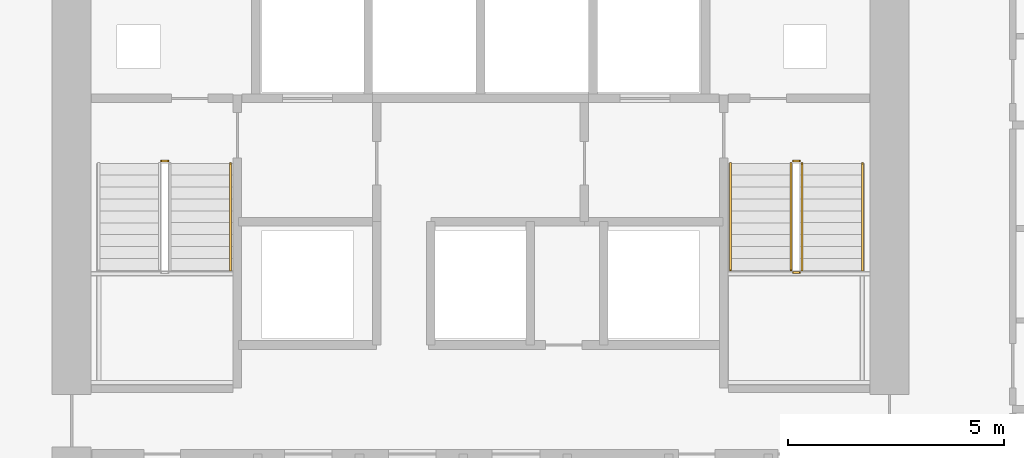
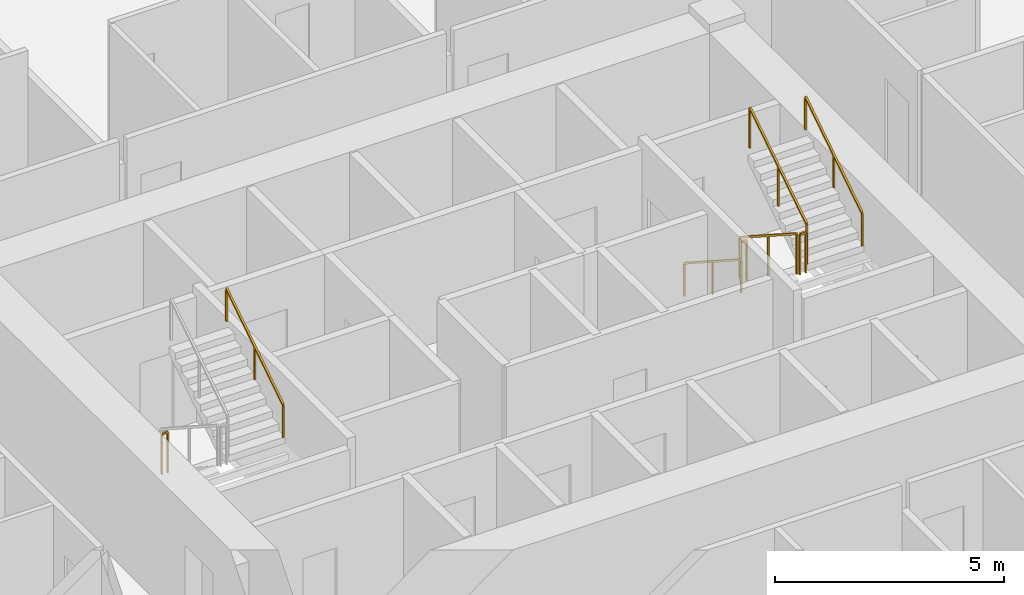
# One storey, part 10 of 10: 8 railings.
"""IFC4 building model written with IfcOpenShell, lengths in metres."""

import ifcopenshell
import ifcopenshell.guid

model = None  # the IFC model being written
_history = None  # IfcOwnerHistory: only IFC2X3 demands one
_inside = {}  # id of a spatial element -> (the spatial element, [elements in it])
_under = {}  # id of a project, library or spatial element -> (it, [spatial elements below it])
_declared = {}  # id of a project -> (the project, [libraries it declares])
_typed = {}  # id of a type object -> (the type object, [elements of that type])
_made_of = {}  # id of a material, layer set ... -> (it, [elements and type objects made of it])


def new_model(schema):
    """Start an empty IFC model of exactly this schema.

    Asked for "IFC4X3", IfcOpenShell would pick the latest addendum, in which some entities
    have other attributes; the version numbers below select the first issue.
    IFC2X3 requires an IfcOwnerHistory on every rooted entity: one is made here for all.
    """
    global model, _history
    if schema == "IFC4X3":
        model = ifcopenshell.file(schema_version=(4, 3, 0, 0))
    else:
        model = ifcopenshell.file(schema=schema)
    _inside.clear()
    _under.clear()
    _declared.clear()
    _typed.clear()
    _made_of.clear()
    _history = None
    if model.schema == "IFC2X3":
        org = make("IfcOrganization", Name="unknown")
        user = make(
            "IfcPersonAndOrganization",
            ThePerson=make("IfcPerson", FamilyName="unknown"),
            TheOrganization=org,
        )
        app = make(
            "IfcApplication",
            ApplicationDeveloper=org,
            Version="unknown",
            ApplicationFullName="unknown",
            ApplicationIdentifier="unknown",
        )
        _history = make(
            "IfcOwnerHistory",
            OwningUser=user,
            OwningApplication=app,
            ChangeAction="ADDED",
            CreationDate=0,
        )
    return model


def make(cls, **values):
    """One entity of the class cls with the attributes given. An attribute that is None is left unset."""
    return model.create_entity(
        cls, **{name: value for name, value in values.items() if value is not None}
    )


def rooted(cls, **values):
    """An entity with a GlobalId (a new one), such as an element, a storey or a relation."""
    return make(cls, GlobalId=ifcopenshell.guid.new(), OwnerHistory=_history, **values)


def si_unit(unit_type, name, prefix=None):
    """IfcSIUnit, for example si_unit("LENGTHUNIT", "METRE", prefix="MILLI")."""
    return make("IfcSIUnit", UnitType=unit_type, Prefix=prefix, Name=name)


def assignment(units):
    """IfcUnitAssignment: the units of a project."""
    return None if units is None else make("IfcUnitAssignment", Units=units)


def point(xyz):
    """IfcCartesianPoint."""
    return None if xyz is None else make("IfcCartesianPoint", Coordinates=xyz)


def direction(xyz):
    """IfcDirection."""
    return None if xyz is None else make("IfcDirection", DirectionRatios=xyz)


def frame(location, z_axis=None, x_axis=None):
    """IfcAxis2Placement3D, a coordinate frame: its origin and axes. An axis left out is left unset."""
    return make(
        "IfcAxis2Placement3D",
        Location=point(location),
        Axis=direction(z_axis),
        RefDirection=direction(x_axis),
    )


def frame_2d(location, x_axis=None):
    """IfcAxis2Placement2D, a coordinate frame in the plane: its origin and x axis."""
    return make(
        "IfcAxis2Placement2D", Location=point(location), RefDirection=direction(x_axis)
    )


def origin():
    """The frame at (0, 0, 0) with its axes left unset."""
    return frame((0.0, 0.0, 0.0))


def origin_2d():
    """The frame at (0, 0) in the plane with its x axis left unset."""
    return frame_2d((0.0, 0.0))


def place(relative_to, where):
    """IfcLocalPlacement: puts the frame where relative to a parent placement (None: the world)."""
    return make(
        "IfcLocalPlacement", PlacementRelTo=relative_to, RelativePlacement=where
    )


def context(
    kind, dimensions, precision=None, world=None, true_north=None, identifier=None
):
    """IfcGeometricRepresentationContext, for example the 3D "Model" context."""
    return make(
        "IfcGeometricRepresentationContext",
        ContextIdentifier=identifier,
        ContextType=kind,
        CoordinateSpaceDimension=dimensions,
        Precision=precision,
        WorldCoordinateSystem=world,
        TrueNorth=true_north,
    )


def subcontext(parent, identifier, kind, view, scale=None):
    """IfcGeometricRepresentationSubContext, for example "Body" below "Model"."""
    return make(
        "IfcGeometricRepresentationSubContext",
        ContextIdentifier=identifier,
        ContextType=kind,
        ParentContext=parent,
        TargetScale=scale,
        TargetView=view,
    )


def project(units=None, contexts=None):
    """IfcProject with its units and contexts."""
    return rooted(
        "IfcProject",
        Name="project",
        RepresentationContexts=contexts,
        UnitsInContext=assignment(units),
    )


def spatial(cls, under=None, at=None, **own):
    """A site, building, storey or space (cls), placed at a placement, below another one or the project."""
    s = rooted(cls, ObjectPlacement=at, **own)
    if under is not None:
        _under.setdefault(under.id(), (under, []))[1].append(s)
    return s


def profile(cls, at=None, kind="AREA", **sizes):
    """A parametric profile (cls). Its sizes go by their IFC names, for example OverallWidth=200.0."""
    return make(cls, ProfileType=kind, Position=at, **sizes)


def rectangle(**sizes):
    """IfcRectangleProfileDef."""
    return profile("IfcRectangleProfileDef", **sizes)


def extrude(swept, where, along, depth):
    """IfcExtrudedAreaSolid: the profile swept, set in the frame where, extruded along a direction by depth."""
    return make(
        "IfcExtrudedAreaSolid",
        SweptArea=swept,
        Position=where,
        ExtrudedDirection=direction(along),
        Depth=depth,
    )


def shape(context_of_items, identifier, shape_type, items):
    """IfcShapeRepresentation: the items that make up one representation, for example the "Body"."""
    return make(
        "IfcShapeRepresentation",
        ContextOfItems=context_of_items,
        RepresentationIdentifier=identifier,
        RepresentationType=shape_type,
        Items=items,
    )


def material(Name=None, Category=None):
    """IfcMaterial."""
    return make("IfcMaterial", Name=Name, Category=Category)


def made_of(thing, what):
    """Note that an element or type object is made of a material, layer set ...; save() writes the relation."""
    if what is not None:
        _made_of.setdefault(what.id(), (what, []))[1].append(thing)
    return thing


def type_object(cls, material=None, **own):
    """A type object (cls), such as IfcWallType, which elements share."""
    return made_of(rooted(cls, **own), material)


def element(
    cls,
    number,
    at=None,
    inside=None,
    cuts=None,
    type_object=None,
    material=None,
    context=None,
    identifier="Body",
    shape_type=None,
    held_by="IfcProductDefinitionShape",
    body=None,
    shapes=None,
    **own,
):
    """One element of the class cls, such as IfcWall. Its Tag is "e" and its number.

    at: its placement. inside: the storey or other place that contains it. cuts: it is an
    opening in that element (IfcRelVoidsElement). A single representation is given by context,
    identifier, shape_type and body (its items); several are given by shapes. held_by: the class
    of the entity that holds the representations. save() writes the other relations.
    """
    e = rooted(cls, Tag="e%d" % number, ObjectPlacement=at, **own)
    if body is not None:
        shapes = [shape(context, identifier, shape_type, body)]
    if shapes is not None:
        e.Representation = make(held_by, Representations=shapes)
    if inside is not None:
        _inside.setdefault(inside.id(), (inside, []))[1].append(e)
    if cuts is not None:
        rooted(
            "IfcRelVoidsElement", RelatingBuildingElement=cuts, RelatedOpeningElement=e
        )
    if type_object is not None:
        _typed.setdefault(type_object.id(), (type_object, []))[1].append(e)
    return made_of(e, material)


def aggregate(whole, parts):
    """IfcRelAggregates: a whole, such as a stair, and the parts it consists of."""
    return rooted("IfcRelAggregates", RelatingObject=whole, RelatedObjects=parts)


def save(model, path):
    """Write the relations noted so far, then the file.

    IfcRelAggregates (storeys below a building ...), IfcRelContainedInSpatialStructure (elements
    in a storey), IfcRelDefinesByType, IfcRelAssociatesMaterial and IfcRelDeclares: one each for
    every whole, place, type object, material and project.
    """
    for whole, parts in _under.values():
        aggregate(whole, parts)
    for where, things in _inside.values():
        rooted(
            "IfcRelContainedInSpatialStructure",
            RelatedElements=things,
            RelatingStructure=where,
        )
    for kind, things in _typed.values():
        rooted("IfcRelDefinesByType", RelatedObjects=things, RelatingType=kind)
    for what, things in _made_of.values():
        rooted("IfcRelAssociatesMaterial", RelatedObjects=things, RelatingMaterial=what)
    for by, libraries in _declared.values():
        rooted("IfcRelDeclares", RelatingContext=by, RelatedDefinitions=libraries)
    model.write(path)


model = new_model("IFC4")

# Units and contexts
model_context = context("Model", 3, precision=1e-05, world=origin(), true_north=direction((0.0, 1.0)))
body_context = subcontext(model_context, "Body", "Model", "MODEL_VIEW")
ifc_project = project(units=[si_unit("LENGTHUNIT", "METRE"), si_unit("AREAUNIT", "SQUARE_METRE"), si_unit("VOLUMEUNIT", "CUBIC_METRE"), si_unit("PLANEANGLEUNIT", "RADIAN"), si_unit("MASSUNIT", "GRAM", prefix="KILO")], contexts=[model_context])

# Site, building, storey
site_placement = place(None, origin())
site = spatial("IfcSite", under=ifc_project, at=site_placement, CompositionType="ELEMENT")
building_placement = place(site_placement, origin())
building = spatial("IfcBuilding", under=site, at=building_placement, Name="Cinnabar Lancet Tower", CompositionType="ELEMENT")
storey_placement = place(building_placement, frame((0.0, 0.0, 24.89990234375)))
storey = spatial("IfcBuildingStorey", under=building, at=storey_placement, Name="L05", CompositionType="ELEMENT", Elevation=24.89990234375)

# Railings
ifc_material_1 = material(Name="Painted galvanized steel balustrade", Category="steel")
railing_type_1 = type_object("IfcRailingType", Name="GUARD-STAIR", PredefinedType="GUARDRAIL", material=ifc_material_1)
railing_1_placement = place(storey_placement, frame((25.02490234375, 28.449951171875, 0.0)))
element("IfcRailing", 1, at=railing_1_placement, inside=storey, type_object=railing_type_1, Name="L05 ST-1 stair guard 4", PredefinedType="GUARDRAIL", context=body_context, shape_type="SweptSolid", body=[
    extrude(rectangle(XDim=0.048095703125, YDim=0.048095703125, at=origin_2d()), frame((0.0, 0.0, 1.076171875), z_axis=(1.0, 0.0, 0.0), x_axis=(0.0, 1.0, 0.0)), (0.0, 0.0, 1.0), 0.150146484375),
    extrude(rectangle(XDim=0.0419921875, YDim=0.0419921875, at=origin_2d()), origin(), (0.0, 0.0, 1.0), 1.052001953125),
    extrude(rectangle(XDim=0.0419921875, YDim=0.0419921875, at=origin_2d()), frame((0.150146484375, 0.0, 0.0)), (0.0, 0.0, 1.0), 1.052001953125),
])
railing_2_placement = place(storey_placement, frame((39.574951171875, 28.39990234375, 0.177490234375)))
element("IfcRailing", 2, at=railing_2_placement, inside=storey, type_object=railing_type_1, Name="L05 ST-2 stair guard 1", PredefinedType="GUARDRAIL", context=body_context, shape_type="SweptSolid", body=[
    extrude(rectangle(XDim=0.048095703125, YDim=0.048095703125, at=origin_2d()), frame((0.0, 0.0, 1.076171875), z_axis=(0.0, -0.84014559416, 0.542360932049), x_axis=(1.0, 0.0, 0.0)), (0.0, 0.0, 1.0), 2.94580078125),
    extrude(rectangle(XDim=0.0419921875, YDim=0.0419921875, at=origin_2d()), origin(), (0.0, 0.0, 1.0), 1.052001953125),
    extrude(rectangle(XDim=0.0419921875, YDim=0.0419921875, at=origin_2d()), frame((0.0, -1.2373046875, 0.798828125)), (0.0, 0.0, 1.0), 1.052001953125),
    extrude(rectangle(XDim=0.0419921875, YDim=0.0419921875, at=origin_2d()), frame((0.0, -2.474853515625, 1.59765625)), (0.0, 0.0, 1.0), 1.052001953125),
])
railing_3_placement = place(storey_placement, frame((39.625, 25.875, 1.775146484375)))
element("IfcRailing", 3, at=railing_3_placement, inside=storey, type_object=railing_type_1, Name="L05 ST-2 stair guard 2", PredefinedType="GUARDRAIL", context=body_context, shape_type="SweptSolid", body=[
    extrude(rectangle(XDim=0.048095703125, YDim=0.048095703125, at=origin_2d()), frame((0.0, 0.0, 1.076171875), z_axis=(1.0, 0.0, 0.0), x_axis=(0.0, 1.0, 0.0)), (0.0, 0.0, 1.0), 0.14990234375),
    extrude(rectangle(XDim=0.0419921875, YDim=0.0419921875, at=origin_2d()), origin(), (0.0, 0.0, 1.0), 1.052001953125),
    extrude(rectangle(XDim=0.0419921875, YDim=0.0419921875, at=origin_2d()), frame((0.14990234375, 0.0, 0.0)), (0.0, 0.0, 1.0), 1.052001953125),
])
railing_4_placement = place(storey_placement, frame((39.824951171875, 25.925048828125, 1.95263671875)))
element("IfcRailing", 4, at=railing_4_placement, inside=storey, type_object=railing_type_1, Name="L05 ST-2 stair guard 3", PredefinedType="GUARDRAIL", context=body_context, shape_type="SweptSolid", body=[
    extrude(rectangle(XDim=0.048095703125, YDim=0.048095703125, at=origin_2d()), frame((0.0, 0.0, 1.076171875), z_axis=(0.0, 0.840183358697, 0.542302428327), x_axis=(-1.0, 0.0, 0.0)), (0.0, 0.0, 1.0), 2.945556640625),
    extrude(rectangle(XDim=0.0419921875, YDim=0.0419921875, at=origin_2d()), origin(), (0.0, 0.0, 1.0), 1.052001953125),
    extrude(rectangle(XDim=0.0419921875, YDim=0.0419921875, at=origin_2d()), frame((0.0, 1.2373046875, 0.798828125)), (0.0, 0.0, 1.0), 1.052001953125),
    extrude(rectangle(XDim=0.0419921875, YDim=0.0419921875, at=origin_2d()), frame((0.0, 2.474853515625, 1.597412109375)), (0.0, 0.0, 1.0), 1.052001953125),
])
railing_5_placement = place(storey_placement, frame((39.625, 28.449951171875, 0.0)))
element("IfcRailing", 5, at=railing_5_placement, inside=storey, type_object=railing_type_1, Name="L05 ST-2 stair guard 4", PredefinedType="GUARDRAIL", context=body_context, shape_type="SweptSolid", body=[
    extrude(rectangle(XDim=0.048095703125, YDim=0.048095703125, at=origin_2d()), frame((0.0, 0.0, 1.076171875), z_axis=(1.0, 0.0, 0.0), x_axis=(0.0, 1.0, 0.0)), (0.0, 0.0, 1.0), 0.14990234375),
    extrude(rectangle(XDim=0.0419921875, YDim=0.0419921875, at=origin_2d()), origin(), (0.0, 0.0, 1.0), 1.052001953125),
    extrude(rectangle(XDim=0.0419921875, YDim=0.0419921875, at=origin_2d()), frame((0.14990234375, 0.0, 0.0)), (0.0, 0.0, 1.0), 1.052001953125),
])
ifc_material_2 = material(Name="Brushed stainless steel handrail", Category="steel")
railing_type_2 = type_object("IfcRailingType", Name="HANDRAIL-STAIR", PredefinedType="HANDRAIL", material=ifc_material_2)
railing_6_placement = place(storey_placement, frame((26.625, 25.925048828125, 1.95263671875)))
element("IfcRailing", 6, at=railing_6_placement, inside=storey, type_object=railing_type_2, Name="L05 ST-1 stair handrail 2", PredefinedType="HANDRAIL", context=body_context, shape_type="SweptSolid", body=[
    extrude(rectangle(XDim=0.048095703125, YDim=0.048095703125, at=origin_2d()), frame((0.0, 0.0, 0.8759765625), z_axis=(0.0, 0.840183358697, 0.542302428327), x_axis=(-1.0, 0.0, 0.0)), (0.0, 0.0, 1.0), 2.945556640625),
    extrude(rectangle(XDim=0.0419921875, YDim=0.0419921875, at=origin_2d()), origin(), (0.0, 0.0, 1.0), 0.851806640625),
    extrude(rectangle(XDim=0.0419921875, YDim=0.0419921875, at=origin_2d()), frame((0.0, 1.2373046875, 0.798828125)), (0.0, 0.0, 1.0), 0.851806640625),
    extrude(rectangle(XDim=0.0419921875, YDim=0.0419921875, at=origin_2d()), frame((0.0, 2.474853515625, 1.597412109375)), (0.0, 0.0, 1.0), 0.851806640625),
])
railing_7_placement = place(storey_placement, frame((38.175048828125, 28.39990234375, 0.177490234375)))
element("IfcRailing", 7, at=railing_7_placement, inside=storey, type_object=railing_type_2, Name="L05 ST-2 stair handrail 1", PredefinedType="HANDRAIL", context=body_context, shape_type="SweptSolid", body=[
    extrude(rectangle(XDim=0.048095703125, YDim=0.048095703125, at=origin_2d()), frame((0.0, 0.0, 0.8759765625), z_axis=(0.0, -0.84014559416, 0.542360932049), x_axis=(1.0, 0.0, 0.0)), (0.0, 0.0, 1.0), 2.94580078125),
    extrude(rectangle(XDim=0.0419921875, YDim=0.0419921875, at=origin_2d()), origin(), (0.0, 0.0, 1.0), 0.851806640625),
    extrude(rectangle(XDim=0.0419921875, YDim=0.0419921875, at=origin_2d()), frame((0.0, -1.2373046875, 0.798828125)), (0.0, 0.0, 1.0), 0.851806640625),
    extrude(rectangle(XDim=0.0419921875, YDim=0.0419921875, at=origin_2d()), frame((0.0, -2.474853515625, 1.59765625)), (0.0, 0.0, 1.0), 0.851806640625),
])
railing_8_placement = place(storey_placement, frame((41.22509765625, 25.925048828125, 1.95263671875)))
element("IfcRailing", 8, at=railing_8_placement, inside=storey, type_object=railing_type_2, Name="L05 ST-2 stair handrail 2", PredefinedType="HANDRAIL", context=body_context, shape_type="SweptSolid", body=[
    extrude(rectangle(XDim=0.048095703125, YDim=0.048095703125, at=origin_2d()), frame((0.0, 0.0, 0.8759765625), z_axis=(0.0, 0.840183358697, 0.542302428327), x_axis=(-1.0, 0.0, 0.0)), (0.0, 0.0, 1.0), 2.945556640625),
    extrude(rectangle(XDim=0.0419921875, YDim=0.0419921875, at=origin_2d()), origin(), (0.0, 0.0, 1.0), 0.851806640625),
    extrude(rectangle(XDim=0.0419921875, YDim=0.0419921875, at=origin_2d()), frame((0.0, 1.2373046875, 0.798828125)), (0.0, 0.0, 1.0), 0.851806640625),
    extrude(rectangle(XDim=0.0419921875, YDim=0.0419921875, at=origin_2d()), frame((0.0, 2.474853515625, 1.597412109375)), (0.0, 0.0, 1.0), 0.851806640625),
])

save(model, "model.ifc")
